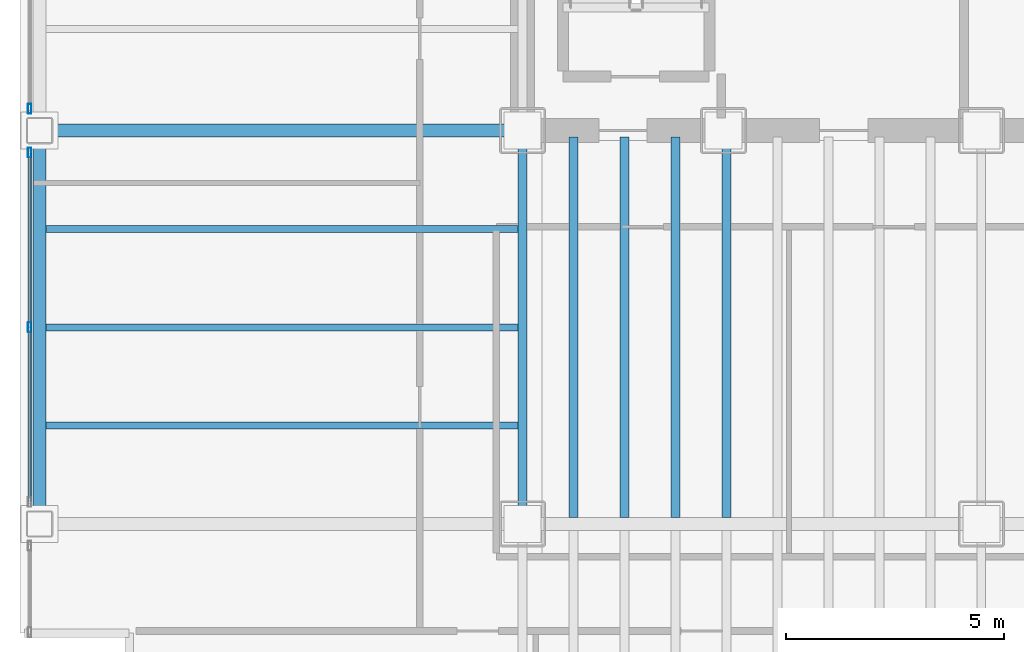
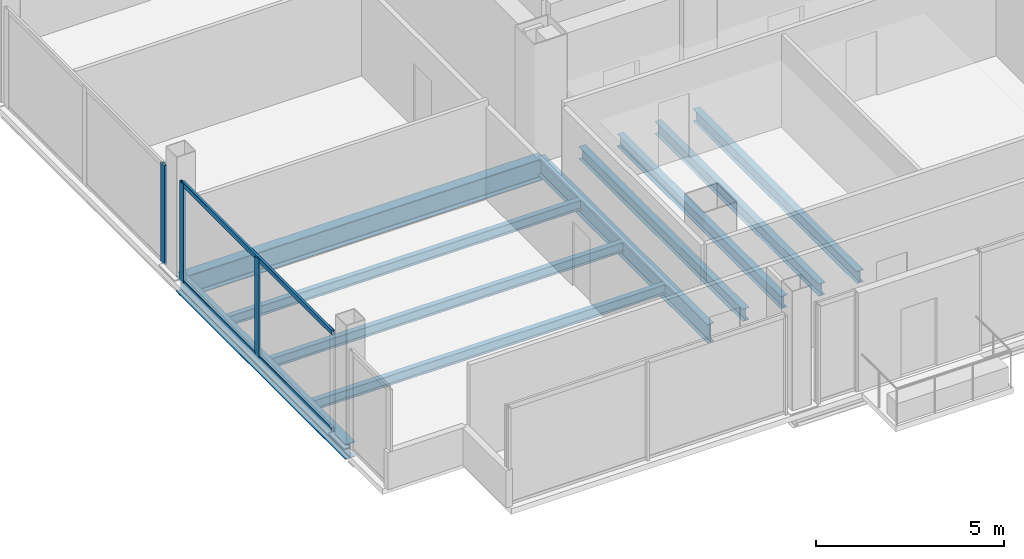
# One storey, part 3 of 21: 10 beams, 5 members, 2 elements without a shape of their own.
"""IFC4 building model written with IfcOpenShell, lengths in metres."""

from ifc_helpers import new_model, si_unit, direction, frame, origin, origin_2d, place, context, subcontext, project, spatial, hollow_rectangle, i_section, extrude, material, material_profile, profile_set, type_object, element, aggregate, save


model = new_model("IFC4")

# Units and contexts
model_context = context("Model", 3, precision=1e-05, world=origin(), true_north=direction((0.0, 1.0)))
body_context = subcontext(model_context, "Body", "Model", "MODEL_VIEW")
ifc_project = project(units=[si_unit("LENGTHUNIT", "METRE"), si_unit("AREAUNIT", "SQUARE_METRE"), si_unit("VOLUMEUNIT", "CUBIC_METRE"), si_unit("PLANEANGLEUNIT", "RADIAN"), si_unit("MASSUNIT", "GRAM", prefix="KILO")], contexts=[model_context])

# Site, building, storey
site_placement = place(None, origin())
site = spatial("IfcSite", under=ifc_project, at=site_placement, CompositionType="ELEMENT")
building_placement = place(site_placement, origin())
building = spatial("IfcBuilding", under=site, at=building_placement, Name="Noeulbin Bourse Tower", CompositionType="ELEMENT")
storey_placement = place(building_placement, frame((0.0, 0.0, 38.199951171875)))
storey = spatial("IfcBuildingStorey", under=building, at=storey_placement, Name="L09", CompositionType="ELEMENT", Elevation=38.199951171875)

# Beams
ifc_material_1 = material(Name="Steel S355", Category="steel")
ifc_material_profile_1 = material_profile(ifc_material_1, i_section(OverallWidth=0.199951171875, OverallDepth=0.60009765625, WebThickness=0.010986328125, FlangeThickness=0.01708984375, FilletRadius=0.02197265625, at=origin_2d()), Name="H-600x200x11x17", Category="LoadBearing")
ifc_profile_set_1 = profile_set([ifc_material_profile_1], Name="Steel S355")
beam_type_1 = type_object("IfcBeamType", Name="BM-GRD-600", PredefinedType="USERDEFINED", material=ifc_profile_set_1)
beam_1_placement = place(storey_placement, frame((13.5, 20.0, -0.47998046875), z_axis=(0.0, 1.0, 0.0), x_axis=(-1.0, 0.0, 0.0)))
element("IfcBeam", 1, at=beam_1_placement, inside=storey, type_object=beam_type_1, Name="Tower Primary Girder NS L09-1.2", ObjectType="GIRDER", PredefinedType="USERDEFINED", context=body_context, shape_type="SweptSolid", body=[
    extrude(i_section(OverallWidth=0.199951171875, OverallDepth=0.60009765625, WebThickness=0.010986328125, FlangeThickness=0.01708984375, FilletRadius=0.02197265625, at=origin_2d()), origin(), (0.0, 0.0, 1.0), 9.0),
])
ifc_material_profile_2 = material_profile(ifc_material_1, i_section(OverallWidth=0.300048828125, OverallDepth=0.699951171875, WebThickness=0.012939453125, FlangeThickness=0.02392578125, FilletRadius=0.02392578125, at=origin_2d()), Name="H-700x300x13x24", Category="LoadBearing")
ifc_profile_set_2 = profile_set([ifc_material_profile_2], Name="Steel S355")
beam_type_2 = type_object("IfcBeamType", Name="BM-GRD-700", PredefinedType="USERDEFINED", material=ifc_profile_set_2)
beam_2_placement = place(storey_placement, frame((2.449951171875, 29.0, -0.530029296875), z_axis=(1.0, 0.0, 0.0), x_axis=(0.0, 1.0, 0.0)))
element("IfcBeam", 2, at=beam_2_placement, inside=storey, type_object=beam_type_2, Name="Tower Primary Girder EW L09-2.1", ObjectType="GIRDER", PredefinedType="USERDEFINED", context=body_context, shape_type="SweptSolid", body=[
    extrude(i_section(OverallWidth=0.300048828125, OverallDepth=0.699951171875, WebThickness=0.012939453125, FlangeThickness=0.02392578125, FilletRadius=0.02392578125, at=origin_2d()), origin(), (0.0, 0.0, 1.0), 11.050048828125),
])
ifc_material_profile_3 = material_profile(ifc_material_1, i_section(OverallWidth=0.159912109375, OverallDepth=0.320068359375, WebThickness=0.006591796875, FlangeThickness=0.010009765625, FilletRadius=0.012939453125, at=origin_2d()), Name="H-320x160x6.5x10", Category="LoadBearing")
ifc_profile_set_3 = profile_set([ifc_material_profile_3], Name="Steel S355")
beam_type_3 = type_object("IfcBeamType", Name="BM-JST-320", PredefinedType="JOIST", material=ifc_profile_set_3)
for number, where, z_axis, x_axis, name in (
    (3, (2.60009765625, 22.25, -0.33984375), (1.0, 0.0, 0.0), (0.0, 1.0, 0.0), "Wing Composite Joist L09-W70"),
    (4, (2.60009765625, 24.5, -0.33984375), (1.0, 0.0, 0.0), (0.0, 1.0, 0.0), "Wing Composite Joist L09-W71"),
    (5, (2.60009765625, 26.75, -0.33984375), (1.0, 0.0, 0.0), (0.0, 1.0, 0.0), "Wing Composite Joist L09-W72"),
):
    element("IfcBeam", number, at=place(storey_placement, frame(where, z_axis=z_axis, x_axis=x_axis)), inside=storey, type_object=beam_type_3, Name=name, PredefinedType="JOIST", context=body_context, shape_type="SweptSolid", body=[
        extrude(i_section(OverallWidth=0.159912109375, OverallDepth=0.320068359375, WebThickness=0.006591796875, FlangeThickness=0.010009765625, FilletRadius=0.012939453125, at=origin_2d()), origin(), (0.0, 0.0, 1.0), 10.7998046875),
    ])
ifc_material_profile_4 = material_profile(ifc_material_1, i_section(OverallWidth=0.199951171875, OverallDepth=0.39990234375, WebThickness=0.008056640625, FlangeThickness=0.012939453125, FilletRadius=0.01611328125, at=origin_2d()), Name="H-400x200x8x13", Category="LoadBearing")
ifc_profile_set_4 = profile_set([ifc_material_profile_4], Name="Steel S355")
beam_type_4 = type_object("IfcBeamType", Name="BM-SEC-400", PredefinedType="BEAM", material=ifc_profile_set_4)
for number, where, z_axis, x_axis, name in (
    (6, (14.666748046875, 20.14990234375, -0.3798828125), (0.0, 1.0, 0.0), (-1.0, 0.0, 0.0), "Tower Composite Joist L09-02"),
    (7, (15.833251953125, 20.14990234375, -0.3798828125), (0.0, 1.0, 0.0), (-1.0, 0.0, 0.0), "Tower Composite Joist L09-05"),
    (8, (17.0, 20.14990234375, -0.3798828125), (0.0, 1.0, 0.0), (-1.0, 0.0, 0.0), "Tower Composite Joist L09-08"),
    (9, (18.166748046875, 20.14990234375, -0.3798828125), (0.0, 1.0, 0.0), (-1.0, 0.0, 0.0), "Tower Composite Joist L09-11"),
):
    element("IfcBeam", number, at=place(storey_placement, frame(where, z_axis=z_axis, x_axis=x_axis)), inside=storey, type_object=beam_type_4, Name=name, PredefinedType="BEAM", context=body_context, shape_type="SweptSolid", body=[
        extrude(i_section(OverallWidth=0.199951171875, OverallDepth=0.39990234375, WebThickness=0.008056640625, FlangeThickness=0.012939453125, FilletRadius=0.01611328125, at=origin_2d()), origin(), (0.0, 0.0, 1.0), 8.7001953125),
    ])
ifc_material_profile_5 = material_profile(ifc_material_1, i_section(OverallWidth=0.300048828125, OverallDepth=0.488037109375, WebThickness=0.010986328125, FlangeThickness=0.01806640625, FilletRadius=0.02197265625, at=origin_2d()), Name="H-488x300x11x18", Category="LoadBearing")
ifc_profile_set_5 = profile_set([ifc_material_profile_5], Name="Steel S355")
beam_type_5 = type_object("IfcBeamType", Name="BM-SPN-488", PredefinedType="SPANDREL", material=ifc_profile_set_5)
beam_3_placement = place(storey_placement, frame((2.449951171875, 20.0, -0.424072265625), z_axis=(0.0, 1.0, 0.0), x_axis=(-1.0, 0.0, 0.0)))
element("IfcBeam", 10, at=beam_3_placement, inside=storey, type_object=beam_type_5, Name="West Spandrel L09-1", PredefinedType="SPANDREL", context=body_context, shape_type="SweptSolid", body=[
    extrude(i_section(OverallWidth=0.300048828125, OverallDepth=0.488037109375, WebThickness=0.010986328125, FlangeThickness=0.01806640625, FilletRadius=0.02197265625, at=origin_2d()), origin(), (0.0, 0.0, 1.0), 9.0),
])

# Curtain wall, members
ifc_material_2 = material(Name="Dark Solar-Control Double Glazing", Category="glass")
curtain_wall_type = type_object("IfcCurtainWallType", Name="CW-SYS-2", PredefinedType="NOTDEFINED", material=ifc_material_2)
curtain_wall_1_placement = place(storey_placement, origin())
curtain_wall_1 = element("IfcCurtainWall", 11, at=curtain_wall_1_placement, inside=storey, type_object=curtain_wall_type, Name="Unitised Curtain Wall CW-L09-W-S2", PredefinedType="NOTDEFINED")
ifc_material_3 = material(Name="Anodised Aluminium 6063-T6", Category="aluminium")
ifc_material_profile_6 = material_profile(ifc_material_3, hollow_rectangle(XDim=0.074951171875, YDim=0.219970703125, WallThickness=0.0048828125, InnerFilletRadius=0.00244140625, OuterFilletRadius=0.0048828125, at=origin_2d()), Name="ALU-MULL-75x220x5", Category="LoadBearing")
ifc_profile_set_6 = profile_set([ifc_material_profile_6], Name="Anodised Aluminium 6063-T6")
member_type_1 = type_object("IfcMemberType", Name="CW-SYS-2-MUL", PredefinedType="MULLION", material=ifc_profile_set_6)
member_1_placement = place(storey_placement, frame((2.219970703125, 24.5, -0.02001953125), z_axis=(0.0, 0.0, 1.0), x_axis=(1.0, 0.0, 0.0)))
member_1 = element("IfcMember", 12, at=member_1_placement, type_object=member_type_1, Name="Curtain Wall Mullion CW-L09-W-S2-M01", PredefinedType="MULLION", context=body_context, shape_type="SweptSolid", body=[
    extrude(hollow_rectangle(XDim=0.074951171875, YDim=0.219970703125, WallThickness=0.0048828125, InnerFilletRadius=0.00244140625, OuterFilletRadius=0.0048828125, at=origin_2d()), origin(), (0.0, 0.0, 1.0), 3.219970703125),
])
member_2_placement = place(storey_placement, frame((2.219970703125, 28.5, -0.02001953125), z_axis=(0.0, 0.0, 1.0), x_axis=(1.0, 0.0, 0.0)))
member_2 = element("IfcMember", 13, at=member_2_placement, type_object=member_type_1, Name="Curtain Wall Mullion CW-L09-W-S2-M02", PredefinedType="MULLION", context=body_context, shape_type="SweptSolid", body=[
    extrude(hollow_rectangle(XDim=0.074951171875, YDim=0.219970703125, WallThickness=0.0048828125, InnerFilletRadius=0.00244140625, OuterFilletRadius=0.0048828125, at=origin_2d()), origin(), (0.0, 0.0, 1.0), 3.219970703125),
])

# Curtain wall, member
curtain_wall_2_placement = place(storey_placement, origin())
curtain_wall_2 = element("IfcCurtainWall", 14, at=curtain_wall_2_placement, inside=storey, type_object=curtain_wall_type, Name="Unitised Curtain Wall CW-L09-W-S3", PredefinedType="NOTDEFINED")
member_3_placement = place(storey_placement, frame((2.219970703125, 29.5, -0.02001953125), z_axis=(0.0, 0.0, 1.0), x_axis=(1.0, 0.0, 0.0)))
member_3 = element("IfcMember", 15, at=member_3_placement, type_object=member_type_1, Name="Curtain Wall Mullion CW-L09-W-S3-M00", PredefinedType="MULLION", context=body_context, shape_type="SweptSolid", body=[
    extrude(hollow_rectangle(XDim=0.074951171875, YDim=0.219970703125, WallThickness=0.0048828125, InnerFilletRadius=0.00244140625, OuterFilletRadius=0.0048828125, at=origin_2d()), origin(), (0.0, 0.0, 1.0), 3.219970703125),
])
aggregate(curtain_wall_2, [member_3])

# Member
ifc_material_profile_7 = material_profile(ifc_material_3, hollow_rectangle(XDim=0.074951171875, YDim=0.159912109375, WallThickness=0.0048828125, InnerFilletRadius=0.00244140625, OuterFilletRadius=0.0048828125, at=origin_2d()), Name="ALU-TRAN-75x160x5", Category="LoadBearing")
ifc_profile_set_7 = profile_set([ifc_material_profile_7], Name="Anodised Aluminium 6063-T6")
member_type_2 = type_object("IfcMemberType", Name="CW-SYS-2-TRN", PredefinedType="USERDEFINED", material=ifc_profile_set_7)
member_4_placement = place(storey_placement, frame((2.219970703125, 20.510009765625, 0.010009765625), z_axis=(0.0, 1.0, 0.0), x_axis=(-1.0, 0.0, 0.0)))
member_4 = element("IfcMember", 16, at=member_4_placement, type_object=member_type_2, Name="Curtain Wall Transom CW-L09-W-S2-T00", ObjectType="TRANSOM", PredefinedType="USERDEFINED", context=body_context, shape_type="SweptSolid", body=[
    extrude(hollow_rectangle(XDim=0.074951171875, YDim=0.159912109375, WallThickness=0.0048828125, InnerFilletRadius=0.00244140625, OuterFilletRadius=0.0048828125, at=origin_2d()), origin(), (0.0, 0.0, 1.0), 7.97998046875),
])

member_5_placement = place(storey_placement, frame((2.219970703125, 20.510009765625, 3.170166015625), z_axis=(0.0, 1.0, 0.0), x_axis=(-1.0, 0.0, 0.0)))
member_5 = element("IfcMember", 17, at=member_5_placement, type_object=member_type_2, Name="Curtain Wall Transom CW-L09-W-S2-T01", ObjectType="TRANSOM", PredefinedType="USERDEFINED", context=body_context, shape_type="SweptSolid", body=[
    extrude(hollow_rectangle(XDim=0.074951171875, YDim=0.159912109375, WallThickness=0.0048828125, InnerFilletRadius=0.00244140625, OuterFilletRadius=0.0048828125, at=origin_2d()), origin(), (0.0, 0.0, 1.0), 7.97998046875),
])

aggregate(curtain_wall_1, [member_1, member_2, member_4, member_5])

save(model, "model.ifc")
